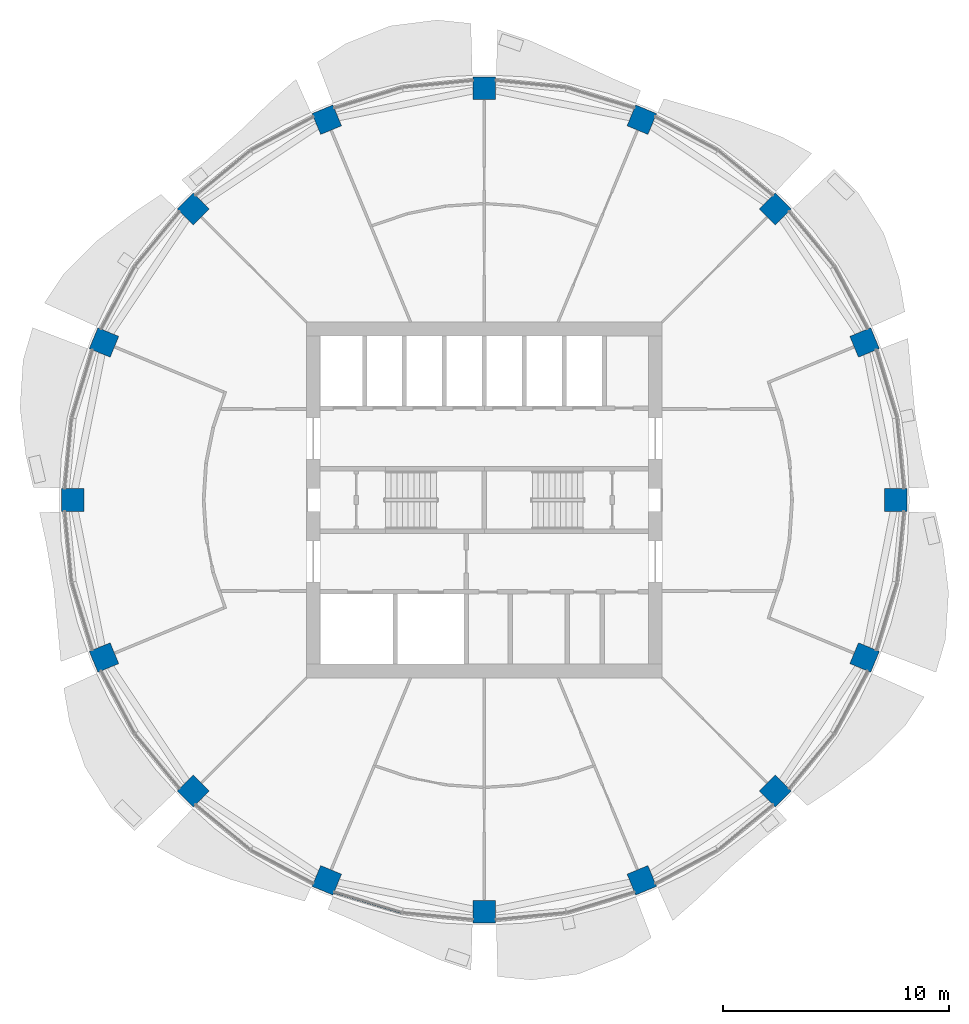
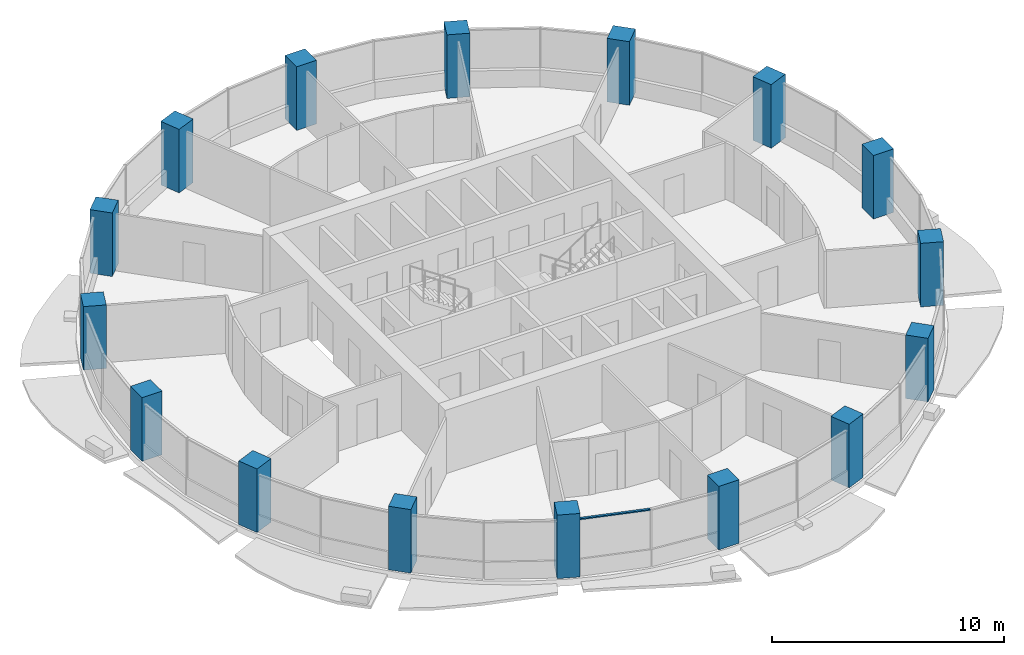
# One storey, part 1 of 15: 16 columns, 1 member, 1 element without a shape of its own.
"""IFC4 building model written with IfcOpenShell, lengths in metres."""

from ifc_helpers import new_model, si_unit, direction, frame, origin, origin_2d, place, context, subcontext, project, spatial, rectangle, extrude, material, material_profile, profile_set, type_object, element, aggregate, save


model = new_model("IFC4")

# Units and contexts
model_context = context("Model", 3, precision=1e-05, world=origin(), true_north=direction((0.0, 1.0)))
body_context = subcontext(model_context, "Body", "Model", "MODEL_VIEW")
ifc_project = project(units=[si_unit("LENGTHUNIT", "METRE"), si_unit("AREAUNIT", "SQUARE_METRE"), si_unit("VOLUMEUNIT", "CUBIC_METRE"), si_unit("PLANEANGLEUNIT", "RADIAN"), si_unit("MASSUNIT", "GRAM", prefix="KILO")], contexts=[model_context])

# Site, building, storey
site_placement = place(None, origin())
site = spatial("IfcSite", under=ifc_project, at=site_placement, CompositionType="ELEMENT")
building_placement = place(site_placement, origin())
building = spatial("IfcBuilding", under=site, at=building_placement, Name="Polderwave Tower", CompositionType="ELEMENT")
storey_placement = place(building_placement, frame((0.0, 0.0, 151.10009765625)))
storey = spatial("IfcBuildingStorey", under=building, at=storey_placement, Name="L40", CompositionType="ELEMENT", Elevation=151.10009765625)

# Columns
ifc_material_1 = material(Name="Concrete C60/75", Category="concrete")
ifc_material_profile_1 = material_profile(ifc_material_1, rectangle(XDim=1.0, YDim=1.0, at=origin_2d()), Name="RC 1000x1000")
ifc_profile_set_1 = profile_set([ifc_material_profile_1], Name="Concrete C60/75")
column_type = type_object("IfcColumnType", Name="RC COLUMN 1000x1000 C60/75", PredefinedType="COLUMN", material=ifc_profile_set_1)
for number, where, z_axis, x_axis, name in (
    (1, (18.22998046875, 0.0, 0.0), (0.0, 0.0, 1.0), (1.0, 0.0, 0.0), "Ring column 01"),
    (2, (16.84228515625, 6.976318359375, 0.0), (0.0, 0.0, 1.0), (0.923879532511, 0.382683432365, 0.0), "Ring column 02"),
    (3, (12.890625, 12.890625, 0.0), (0.0, 0.0, 1.0), (0.707106781187, 0.707106781187, 0.0), "Ring column 03"),
    (4, (6.976318359375, 16.84228515625, 0.0), (0.0, 0.0, 1.0), (0.382683432365, 0.923879532511, 0.0), "Ring column 04"),
    (5, (0.0, 18.22998046875, 0.0), (0.0, 0.0, 1.0), (0.0, 1.0, 0.0), "Ring column 05"),
    (6, (-6.976318359375, 16.84228515625, 0.0), (0.0, 0.0, 1.0), (-0.382683432365, 0.923879532511, 0.0), "Ring column 06"),
    (7, (-12.890625, 12.890625, 0.0), (0.0, 0.0, 1.0), (-0.707106781187, 0.707106781187, 0.0), "Ring column 07"),
    (8, (-16.84228515625, 6.976318359375, 0.0), (0.0, 0.0, 1.0), (-0.923879532511, 0.382683432365, 0.0), "Ring column 08"),
    (9, (-18.22998046875, 0.0, 0.0), (0.0, 0.0, 1.0), (-1.0, 0.0, 0.0), "Ring column 09"),
    (10, (-16.84228515625, -6.976318359375, 0.0), (0.0, 0.0, 1.0), (-0.923879532511, -0.382683432365, 0.0), "Ring column 10"),
    (11, (-12.890625, -12.890625, 0.0), (0.0, 0.0, 1.0), (-0.707106781187, -0.707106781187, 0.0), "Ring column 11"),
    (12, (-6.976318359375, -16.84228515625, 0.0), (0.0, 0.0, 1.0), (-0.382683432365, -0.923879532511, 0.0), "Ring column 12"),
    (13, (0.0, -18.22998046875, 0.0), (0.0, 0.0, 1.0), (0.0, -1.0, 0.0), "Ring column 13"),
    (14, (6.976318359375, -16.84228515625, 0.0), (0.0, 0.0, 1.0), (0.382683432365, -0.923879532511, 0.0), "Ring column 14"),
    (15, (12.890625, -12.890625, 0.0), (0.0, 0.0, 1.0), (0.707106781187, -0.707106781187, 0.0), "Ring column 15"),
    (16, (16.84228515625, -6.976318359375, 0.0), (0.0, 0.0, 1.0), (0.923879532511, -0.382683432365, 0.0), "Ring column 16"),
):
    element("IfcColumn", number, at=place(storey_placement, frame(where, z_axis=z_axis, x_axis=x_axis)), inside=storey, type_object=column_type, Name=name, PredefinedType="COLUMN", context=body_context, shape_type="SweptSolid", body=[
        extrude(rectangle(XDim=1.0, YDim=1.0, at=origin_2d()), origin(), (0.0, 0.0, 1.0), 3.349853515625),
    ])

# Curtain wall, member
ifc_material_2 = material(Name="Aluminium 6063-T6 and glass", Category="aluminium")
curtain_wall_type = type_object("IfcCurtainWallType", Name="Office ribbon glazing wall", PredefinedType="NOTDEFINED", material=ifc_material_2)
curtain_wall_placement = place(storey_placement, origin())
curtain_wall = element("IfcCurtainWall", 17, at=curtain_wall_placement, inside=storey, type_object=curtain_wall_type, Name="CW3 L40 11", PredefinedType="NOTDEFINED")
ifc_material_3 = material(Name="Aluminium 6063-T6", Category="aluminium")
ifc_material_profile_2 = material_profile(ifc_material_3, rectangle(XDim=0.1201171875, YDim=0.06005859375, at=origin_2d()), Name="AL 60x120")
ifc_profile_set_2 = profile_set([ifc_material_profile_2], Name="Aluminium 6063-T6")
member_type = type_object("IfcMemberType", Name="Office ribbon glazing transom 60x120", PredefinedType="USERDEFINED", material=ifc_profile_set_2)
member_placement = place(storey_placement, frame((-6.64892578125, -17.35791015625, 2.969970703125), z_axis=(0.956963215555, -0.290209241883, 0.0), x_axis=(0.290209241883, 0.956963215555, 0.0)))
member = element("IfcMember", 18, at=member_placement, type_object=member_type, Name="CW3 transom 1", ObjectType="TRANSOM", PredefinedType="USERDEFINED", context=body_context, shape_type="SweptSolid", body=[
    extrude(rectangle(XDim=0.1201171875, YDim=0.06005859375, at=origin_2d()), origin(), (0.0, 0.0, 1.0), 3.121826171875),
])
aggregate(curtain_wall, [member])

save(model, "model.ifc")
